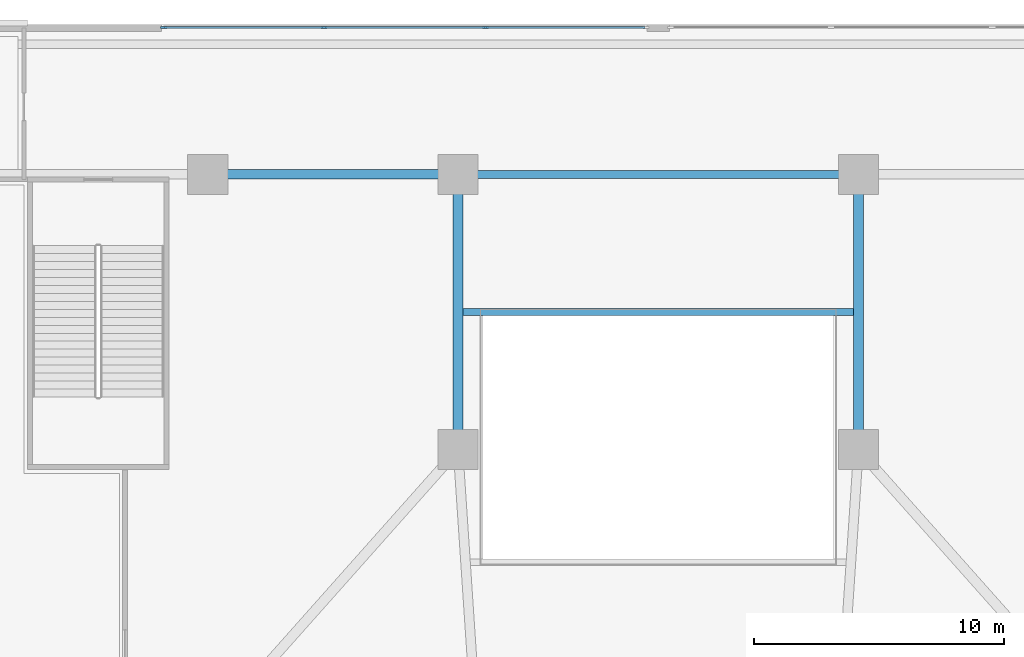
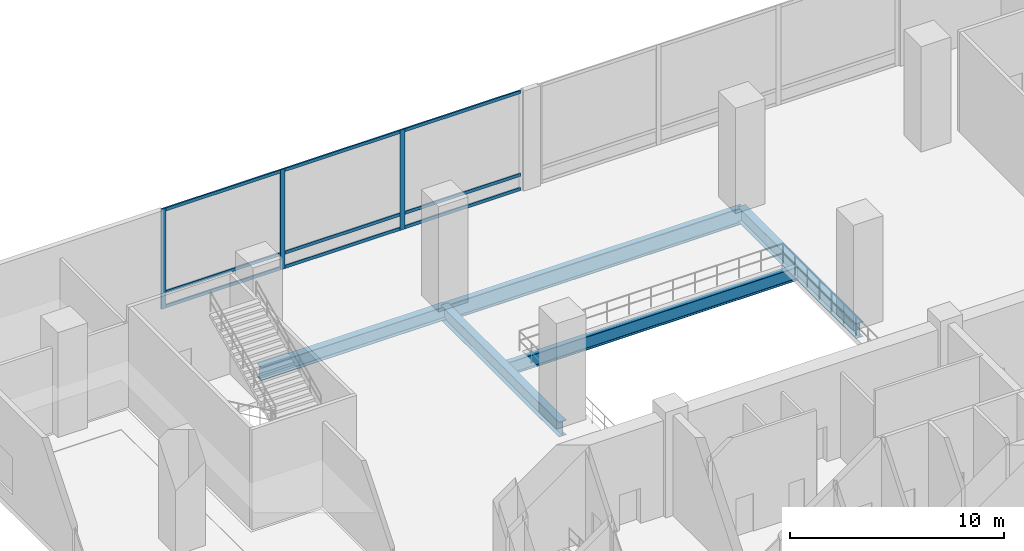
# One storey, part 2 of 16: 12 members, 5 beams, 1 element without a shape of its own.
"""IFC4 building model written with IfcOpenShell, lengths in metres."""

from ifc_helpers import new_model, si_unit, direction, frame, origin, origin_2d, place, context, subcontext, project, spatial, rectangle, i_section, extrude, material, material_profile, profile_set, type_object, element, aggregate, save


model = new_model("IFC4")

# Units and contexts
model_context = context("Model", 3, precision=1e-05, world=origin(), true_north=direction((0.0, 1.0)))
body_context = subcontext(model_context, "Body", "Model", "MODEL_VIEW")
ifc_project = project(units=[si_unit("LENGTHUNIT", "METRE"), si_unit("AREAUNIT", "SQUARE_METRE"), si_unit("VOLUMEUNIT", "CUBIC_METRE"), si_unit("PLANEANGLEUNIT", "RADIAN"), si_unit("MASSUNIT", "GRAM", prefix="KILO")], contexts=[model_context])

# Site, building, storey
site_placement = place(None, origin())
site = spatial("IfcSite", under=ifc_project, at=site_placement, CompositionType="ELEMENT")
building_placement = place(site_placement, origin())
building = spatial("IfcBuilding", under=site, at=building_placement, Name="Solmavex Isthmus Hotel", CompositionType="ELEMENT")
storey_placement = place(building_placement, frame((0.0, 0.0, 5.39990234375)))
storey = spatial("IfcBuildingStorey", under=building, at=storey_placement, Name="L02", CompositionType="ELEMENT", Elevation=5.39990234375)

# Beams
ifc_material_1 = material(Name="Steel ASTM A992 Grade 50", Category="steel")
ifc_material_profile_1 = material_profile(ifc_material_1, i_section(OverallWidth=0.2666015625, OverallDepth=0.76220703125, WebThickness=0.014404296875, FlangeThickness=0.021484375, FilletRadius=0.01904296875, at=origin_2d()), Name="W30X116")
ifc_profile_set_1 = profile_set([ifc_material_profile_1], Name="Steel ASTM A992 Grade 50")
beam_type_1 = type_object("IfcBeamType", Name="BM-BG-W30X116", PredefinedType="BEAM", material=ifc_profile_set_1)
beam_1_placement = place(storey_placement, frame((-7.81005859375, 12.0, -0.68115234375), z_axis=(1.0, 0.0, 0.0), x_axis=(0.0, 1.0, 0.0)))
element("IfcBeam", 1, at=beam_1_placement, inside=storey, type_object=beam_type_1, Name="Atrium Trimmer Girder L02-AT2", PredefinedType="BEAM", context=body_context, shape_type="SweptSolid", body=[
    extrude(i_section(OverallWidth=0.2666015625, OverallDepth=0.76220703125, WebThickness=0.014404296875, FlangeThickness=0.021484375, FilletRadius=0.01904296875, at=origin_2d()), origin(), (0.0, 0.0, 1.0), 15.6201171875),
])
ifc_material_profile_2 = material_profile(ifc_material_1, i_section(OverallWidth=0.380615234375, OverallDepth=0.773193359375, WebThickness=0.0166015625, FlangeThickness=0.027099609375, FilletRadius=0.01904296875, at=origin_2d()), Name="W30X173")
ifc_profile_set_2 = profile_set([ifc_material_profile_2], Name="Steel ASTM A992 Grade 50")
beam_type_2 = type_object("IfcBeamType", Name="BM-BG-W30X173", PredefinedType="BEAM", material=ifc_profile_set_2)
beam_2_placement = place(storey_placement, frame((-18.0, 17.5, -0.6865234375), z_axis=(1.0, 0.0, 0.0), x_axis=(0.0, 1.0, 0.0)))
element("IfcBeam", 2, at=beam_2_placement, inside=storey, type_object=beam_type_2, Name="Podium Primary Girder L02-G08", PredefinedType="BEAM", context=body_context, shape_type="SweptSolid", body=[
    extrude(i_section(OverallWidth=0.380615234375, OverallDepth=0.773193359375, WebThickness=0.0166015625, FlangeThickness=0.027099609375, FilletRadius=0.01904296875, at=origin_2d()), origin(), (0.0, 0.0, 1.0), 10.0),
])
ifc_material_profile_3 = material_profile(ifc_material_1, i_section(OverallWidth=0.39990234375, OverallDepth=0.85546875, WebThickness=0.018310546875, FlangeThickness=0.029296875, FilletRadius=0.020263671875, at=origin_2d()), Name="W33X201")
ifc_profile_set_3 = profile_set([ifc_material_profile_3], Name="Steel ASTM A992 Grade 50")
beam_type_3 = type_object("IfcBeamType", Name="BM-BG-W33X201", PredefinedType="BEAM", material=ifc_profile_set_3)
for number, where, z_axis, x_axis, name in (
    (3, (-8.0, 6.5, -0.7275390625), (0.0, 1.0, 0.0), (-1.0, 0.0, 0.0), "Podium Primary Girder L02-G29"),
    (4, (8.0, 6.5, -0.7275390625), (0.0, 1.0, 0.0), (-1.0, 0.0, 0.0), "Podium Primary Girder L02-G30"),
):
    element("IfcBeam", number, at=place(storey_placement, frame(where, z_axis=z_axis, x_axis=x_axis)), inside=storey, type_object=beam_type_3, Name=name, PredefinedType="BEAM", context=body_context, shape_type="SweptSolid", body=[
        extrude(i_section(OverallWidth=0.39990234375, OverallDepth=0.85546875, WebThickness=0.018310546875, FlangeThickness=0.029296875, FilletRadius=0.020263671875, at=origin_2d()), origin(), (0.0, 0.0, 1.0), 11.0),
    ])
ifc_material_profile_4 = material_profile(ifc_material_1, i_section(OverallWidth=0.307861328125, OverallDepth=0.94287109375, WebThickness=0.022216796875, FlangeThickness=0.039794921875, FilletRadius=0.024169921875, at=origin_2d()), Name="W36X232")
ifc_profile_set_4 = profile_set([ifc_material_profile_4], Name="Steel ASTM A992 Grade 50")
beam_type_4 = type_object("IfcBeamType", Name="BM-BG-W36X232", PredefinedType="BEAM", material=ifc_profile_set_4)
beam_3_placement = place(storey_placement, frame((-8.0, 17.5, -0.771240234375), z_axis=(1.0, 0.0, 0.0), x_axis=(0.0, 1.0, 0.0)))
element("IfcBeam", 5, at=beam_3_placement, inside=storey, type_object=beam_type_4, Name="Podium Primary Girder L02-G09", PredefinedType="BEAM", context=body_context, shape_type="SweptSolid", body=[
    extrude(i_section(OverallWidth=0.307861328125, OverallDepth=0.94287109375, WebThickness=0.022216796875, FlangeThickness=0.039794921875, FilletRadius=0.024169921875, at=origin_2d()), origin(), (0.0, 0.0, 1.0), 16.0),
])

# Curtain wall, members
ifc_material_2 = material(Name="Aluminium alloy 6063-T6", Category="aluminium")
curtain_wall_type = type_object("IfcCurtainWallType", Name="CW-SYS-01", PredefinedType="NOTDEFINED", material=ifc_material_2)
curtain_wall_placement = place(storey_placement, origin())
curtain_wall = element("IfcCurtainWall", 6, at=curtain_wall_placement, inside=storey, type_object=curtain_wall_type, Name="Stick Curtain Wall CWL-L02-NW", PredefinedType="NOTDEFINED")
ifc_material_profile_5 = material_profile(ifc_material_2, rectangle(XDim=0.080078125, YDim=0.25, at=origin_2d()), Name="CWM-80X250")
ifc_profile_set_5 = profile_set([ifc_material_profile_5], Name="Aluminium alloy 6063-T6")
member_type_1 = type_object("IfcMemberType", Name="CW-SYS-01-MUL", PredefinedType="MULLION", material=ifc_profile_set_5)
member_1_placement = place(storey_placement, frame((-19.760009765625, 23.3798828125, 0.0), z_axis=(0.0, 0.0, 1.0), x_axis=(0.0, 1.0, 0.0)))
member_1 = element("IfcMember", 7, at=member_1_placement, type_object=member_type_1, Name="CW-01 mullion 1", PredefinedType="MULLION", context=body_context, shape_type="SweptSolid", body=[
    extrude(rectangle(XDim=0.080078125, YDim=0.25, at=origin_2d()), origin(), (0.0, 0.0, 1.0), 5.7001953125),
])
member_2_placement = place(storey_placement, frame((-13.35009765625, 23.3798828125, 0.0), z_axis=(0.0, 0.0, 1.0), x_axis=(0.0, 1.0, 0.0)))
member_2 = element("IfcMember", 8, at=member_2_placement, type_object=member_type_1, Name="CW-01 mullion 2", PredefinedType="MULLION", context=body_context, shape_type="SweptSolid", body=[
    extrude(rectangle(XDim=0.080078125, YDim=0.25, at=origin_2d()), origin(), (0.0, 0.0, 1.0), 5.7001953125),
])
member_3_placement = place(storey_placement, frame((-6.89990234375, 23.3798828125, 0.0), z_axis=(0.0, 0.0, 1.0), x_axis=(0.0, 1.0, 0.0)))
member_3 = element("IfcMember", 9, at=member_3_placement, type_object=member_type_1, Name="CW-01 mullion 3", PredefinedType="MULLION", context=body_context, shape_type="SweptSolid", body=[
    extrude(rectangle(XDim=0.080078125, YDim=0.25, at=origin_2d()), origin(), (0.0, 0.0, 1.0), 5.7001953125),
])
ifc_material_profile_6 = material_profile(ifc_material_2, rectangle(XDim=0.080078125, YDim=0.179931640625, at=origin_2d()), Name="CWT-80X180")
ifc_profile_set_6 = profile_set([ifc_material_profile_6], Name="Aluminium alloy 6063-T6")
member_type_2 = type_object("IfcMemberType", Name="CW-SYS-01-TRN", PredefinedType="USERDEFINED", material=ifc_profile_set_6)
member_4_placement = place(storey_placement, frame((-19.719970703125, 23.3798828125, 0.090087890625), z_axis=(1.0, 0.0, 0.0), x_axis=(0.0, 1.0, 0.0)))
member_4 = element("IfcMember", 10, at=member_4_placement, type_object=member_type_2, Name="CW-01 transom 1.1", ObjectType="TRANSOM", PredefinedType="USERDEFINED", context=body_context, shape_type="SweptSolid", body=[
    extrude(rectangle(XDim=0.080078125, YDim=0.179931640625, at=origin_2d()), origin(), (0.0, 0.0, 1.0), 6.330078125),
])
member_5_placement = place(storey_placement, frame((-19.719970703125, 23.3798828125, 0.900146484375), z_axis=(1.0, 0.0, 0.0), x_axis=(0.0, 1.0, 0.0)))
member_5 = element("IfcMember", 11, at=member_5_placement, type_object=member_type_2, Name="CW-01 transom 1.2", ObjectType="TRANSOM", PredefinedType="USERDEFINED", context=body_context, shape_type="SweptSolid", body=[
    extrude(rectangle(XDim=0.080078125, YDim=0.179931640625, at=origin_2d()), origin(), (0.0, 0.0, 1.0), 6.330078125),
])
member_6_placement = place(storey_placement, frame((-19.719970703125, 23.3798828125, 5.610107421875), z_axis=(1.0, 0.0, 0.0), x_axis=(0.0, 1.0, 0.0)))
member_6 = element("IfcMember", 12, at=member_6_placement, type_object=member_type_2, Name="CW-01 transom 1.3", ObjectType="TRANSOM", PredefinedType="USERDEFINED", context=body_context, shape_type="SweptSolid", body=[
    extrude(rectangle(XDim=0.080078125, YDim=0.179931640625, at=origin_2d()), origin(), (0.0, 0.0, 1.0), 6.330078125),
])
member_7_placement = place(storey_placement, frame((-13.31005859375, 23.3798828125, 0.090087890625), z_axis=(1.0, 0.0, 0.0), x_axis=(0.0, 1.0, 0.0)))
member_7 = element("IfcMember", 13, at=member_7_placement, type_object=member_type_2, Name="CW-01 transom 2.1", ObjectType="TRANSOM", PredefinedType="USERDEFINED", context=body_context, shape_type="SweptSolid", body=[
    extrude(rectangle(XDim=0.080078125, YDim=0.179931640625, at=origin_2d()), origin(), (0.0, 0.0, 1.0), 6.3701171875),
])
member_8_placement = place(storey_placement, frame((-13.31005859375, 23.3798828125, 0.900146484375), z_axis=(1.0, 0.0, 0.0), x_axis=(0.0, 1.0, 0.0)))
member_8 = element("IfcMember", 14, at=member_8_placement, type_object=member_type_2, Name="CW-01 transom 2.2", ObjectType="TRANSOM", PredefinedType="USERDEFINED", context=body_context, shape_type="SweptSolid", body=[
    extrude(rectangle(XDim=0.080078125, YDim=0.179931640625, at=origin_2d()), origin(), (0.0, 0.0, 1.0), 6.3701171875),
])
member_9_placement = place(storey_placement, frame((-13.31005859375, 23.3798828125, 5.610107421875), z_axis=(1.0, 0.0, 0.0), x_axis=(0.0, 1.0, 0.0)))
member_9 = element("IfcMember", 15, at=member_9_placement, type_object=member_type_2, Name="CW-01 transom 2.3", ObjectType="TRANSOM", PredefinedType="USERDEFINED", context=body_context, shape_type="SweptSolid", body=[
    extrude(rectangle(XDim=0.080078125, YDim=0.179931640625, at=origin_2d()), origin(), (0.0, 0.0, 1.0), 6.3701171875),
])
member_10_placement = place(storey_placement, frame((-6.860107421875, 23.3798828125, 0.090087890625), z_axis=(1.0, 0.0, 0.0), x_axis=(0.0, 1.0, 0.0)))
member_10 = element("IfcMember", 16, at=member_10_placement, type_object=member_type_2, Name="CW-01 transom 3.1", ObjectType="TRANSOM", PredefinedType="USERDEFINED", context=body_context, shape_type="SweptSolid", body=[
    extrude(rectangle(XDim=0.080078125, YDim=0.179931640625, at=origin_2d()), origin(), (0.0, 0.0, 1.0), 6.330078125),
])
member_11_placement = place(storey_placement, frame((-6.860107421875, 23.3798828125, 0.900146484375), z_axis=(1.0, 0.0, 0.0), x_axis=(0.0, 1.0, 0.0)))
member_11 = element("IfcMember", 17, at=member_11_placement, type_object=member_type_2, Name="CW-01 transom 3.2", ObjectType="TRANSOM", PredefinedType="USERDEFINED", context=body_context, shape_type="SweptSolid", body=[
    extrude(rectangle(XDim=0.080078125, YDim=0.179931640625, at=origin_2d()), origin(), (0.0, 0.0, 1.0), 6.330078125),
])
member_12_placement = place(storey_placement, frame((-6.860107421875, 23.3798828125, 5.610107421875), z_axis=(1.0, 0.0, 0.0), x_axis=(0.0, 1.0, 0.0)))
member_12 = element("IfcMember", 18, at=member_12_placement, type_object=member_type_2, Name="CW-01 transom 3.3", ObjectType="TRANSOM", PredefinedType="USERDEFINED", context=body_context, shape_type="SweptSolid", body=[
    extrude(rectangle(XDim=0.080078125, YDim=0.179931640625, at=origin_2d()), origin(), (0.0, 0.0, 1.0), 6.330078125),
])
aggregate(curtain_wall, [member_1, member_2, member_3, member_4, member_5, member_6, member_7, member_8, member_9, member_10, member_11, member_12])

save(model, "model.ifc")
